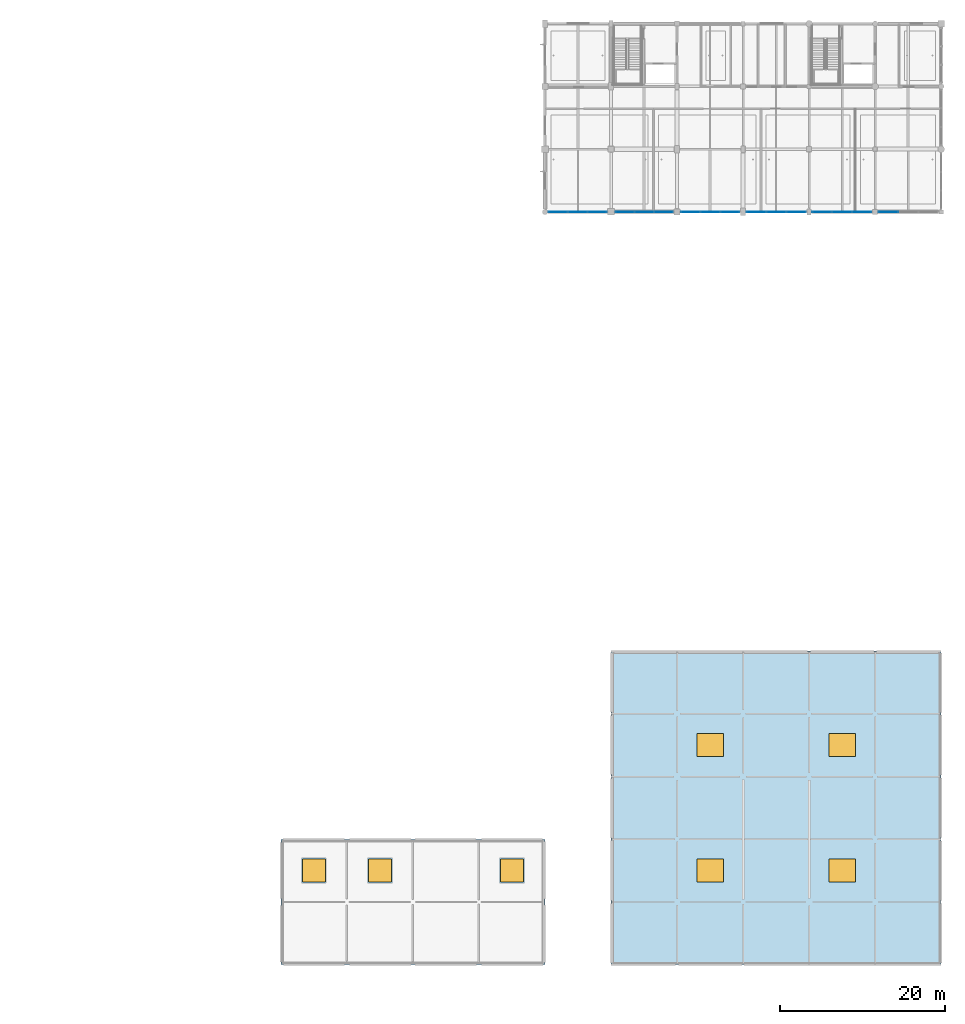
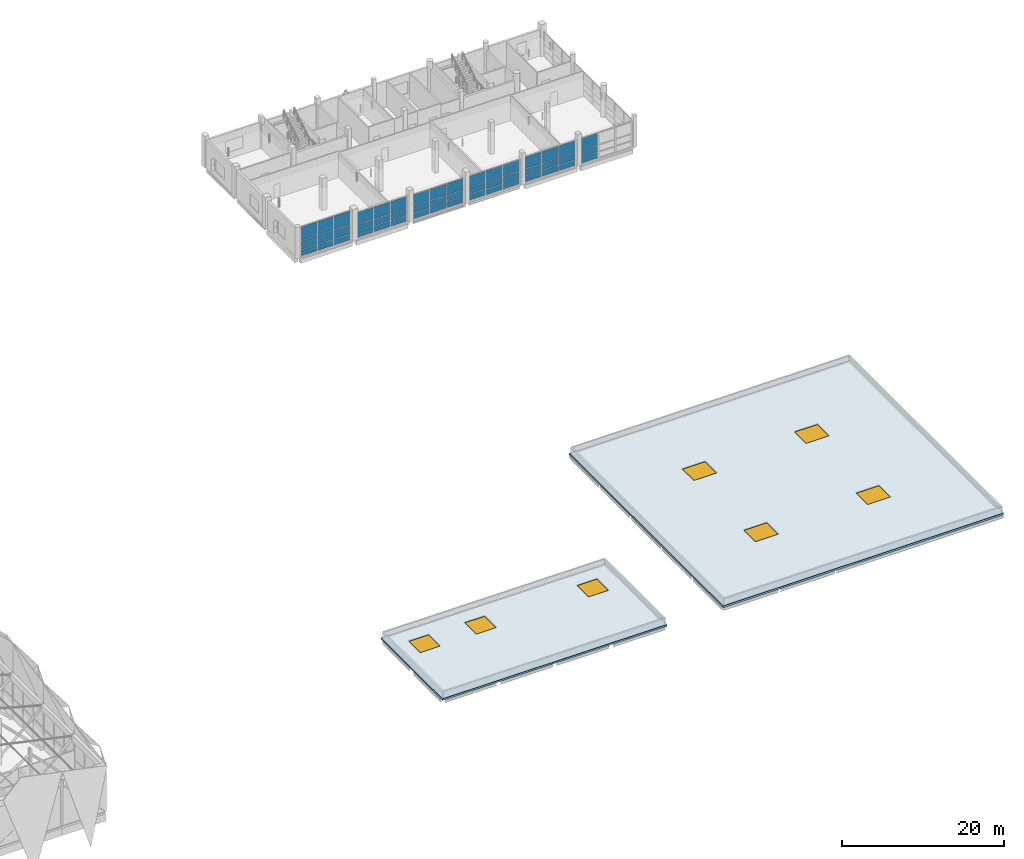
# One storey, part 25 of 46: 48 plates, 7 windows, 2 slabs, 7 openings, 6 elements without a shape of their own.
"""IFC4 building model written with IfcOpenShell, lengths in metres."""

from ifc_helpers import new_model, si_unit, direction, frame, origin, origin_2d, place, context, subcontext, project, spatial, polyline, rectangle, outline, extrude, material, layer, layer_set, type_object, element, fill, aggregate, save


model = new_model("IFC4")

# Units and contexts
model_context = context("Model", 3, precision=1e-05, world=origin(), true_north=direction((0.0, 1.0)))
body_context = subcontext(model_context, "Body", "Model", "MODEL_VIEW")
ifc_project = project(units=[si_unit("LENGTHUNIT", "METRE"), si_unit("AREAUNIT", "SQUARE_METRE"), si_unit("VOLUMEUNIT", "CUBIC_METRE"), si_unit("PLANEANGLEUNIT", "RADIAN"), si_unit("MASSUNIT", "GRAM", prefix="KILO")], contexts=[model_context])

# Site, building, storey
site_placement = place(None, origin())
site = spatial("IfcSite", under=ifc_project, at=site_placement, CompositionType="ELEMENT")
building_placement = place(site_placement, origin())
building = spatial("IfcBuilding", under=site, at=building_placement, Name="Khelvaren Railside Concert Hall", CompositionType="ELEMENT")
storey_placement = place(building_placement, frame((0.0, 0.0, 19.800048828125)))
storey = spatial("IfcBuildingStorey", under=building, at=storey_placement, Name="L04", CompositionType="ELEMENT", Elevation=19.800048828125)

# Curtain wall, plates
ifc_material_1 = material(Name="Triple-glazed solar-control glass", Category="glass")
curtain_wall_type_1 = type_object("IfcCurtainWallType", Name="CW14", PredefinedType="USERDEFINED", material=ifc_material_1)
curtain_wall_1_placement = place(storey_placement, origin())
curtain_wall_1 = element("IfcCurtainWall", 1, at=curtain_wall_1_placement, inside=storey, type_object=curtain_wall_type_1, Name="Unitised Curtain Wall CW-V5-L04-S-136", ObjectType="UNITISED CURTAIN WALL", PredefinedType="USERDEFINED")
ifc_layer_1 = layer(ifc_material_1, 0.035888671875)
ifc_layer_set_1 = layer_set([ifc_layer_1], Name="Triple-glazed solar-control glass")
plate_type = type_object("IfcPlateType", Name="CWP53", PredefinedType="CURTAIN_PANEL", material=ifc_layer_set_1)
plate_1_placement = place(storey_placement, frame((142.3203125, 91.199951171875, 0.074951171875), z_axis=(0.0, 0.0, 1.0), x_axis=(-1.0, 0.0, 0.0)))
plate_1 = element("IfcPlate", 2, at=plate_1_placement, type_object=plate_type, Name="CW14 panel 1.1", PredefinedType="CURTAIN_PANEL", context=body_context, shape_type="SweptSolid", body=[
    extrude(rectangle(XDim=2.26416015625, YDim=0.035888671875, at=origin_2d()), origin(), (0.0, 0.0, 1.0), 0.83740234375),
])
plate_2_placement = place(storey_placement, frame((142.3203125, 91.199951171875, 0.9873046875), z_axis=(0.0, 0.0, 1.0), x_axis=(-1.0, 0.0, 0.0)))
plate_2 = element("IfcPlate", 3, at=plate_2_placement, type_object=plate_type, Name="CW14 panel 1.2", PredefinedType="CURTAIN_PANEL", context=body_context, shape_type="SweptSolid", body=[
    extrude(rectangle(XDim=2.26416015625, YDim=0.035888671875, at=origin_2d()), origin(), (0.0, 0.0, 1.0), 1.335693359375),
])
plate_3_placement = place(storey_placement, frame((142.3203125, 91.199951171875, 2.3984375), z_axis=(0.0, 0.0, 1.0), x_axis=(-1.0, 0.0, 0.0)))
plate_3 = element("IfcPlate", 4, at=plate_3_placement, type_object=plate_type, Name="CW14 panel 1.3", PredefinedType="CURTAIN_PANEL", context=body_context, shape_type="SweptSolid", body=[
    extrude(rectangle(XDim=2.26416015625, YDim=0.035888671875, at=origin_2d()), origin(), (0.0, 0.0, 1.0), 2.066650390625),
])
plate_4_placement = place(storey_placement, frame((139.96240234375, 91.199951171875, 0.074951171875), z_axis=(0.0, 0.0, 1.0), x_axis=(-1.0, 0.0, 0.0)))
plate_4 = element("IfcPlate", 5, at=plate_4_placement, type_object=plate_type, Name="CW14 panel 2.1", PredefinedType="CURTAIN_PANEL", context=body_context, shape_type="SweptSolid", body=[
    extrude(rectangle(XDim=2.3017578125, YDim=0.035888671875, at=origin_2d()), origin(), (0.0, 0.0, 1.0), 0.83740234375),
])
plate_5_placement = place(storey_placement, frame((139.96240234375, 91.199951171875, 0.9873046875), z_axis=(0.0, 0.0, 1.0), x_axis=(-1.0, 0.0, 0.0)))
plate_5 = element("IfcPlate", 6, at=plate_5_placement, type_object=plate_type, Name="CW14 panel 2.2", PredefinedType="CURTAIN_PANEL", context=body_context, shape_type="SweptSolid", body=[
    extrude(rectangle(XDim=2.3017578125, YDim=0.035888671875, at=origin_2d()), origin(), (0.0, 0.0, 1.0), 1.335693359375),
])
plate_6_placement = place(storey_placement, frame((139.96240234375, 91.199951171875, 2.3984375), z_axis=(0.0, 0.0, 1.0), x_axis=(-1.0, 0.0, 0.0)))
plate_6 = element("IfcPlate", 7, at=plate_6_placement, type_object=plate_type, Name="CW14 panel 2.3", PredefinedType="CURTAIN_PANEL", context=body_context, shape_type="SweptSolid", body=[
    extrude(rectangle(XDim=2.3017578125, YDim=0.035888671875, at=origin_2d()), origin(), (0.0, 0.0, 1.0), 2.066650390625),
])
plate_7_placement = place(storey_placement, frame((137.6044921875, 91.199951171875, 0.074951171875), z_axis=(0.0, 0.0, 1.0), x_axis=(-1.0, 0.0, 0.0)))
plate_7 = element("IfcPlate", 8, at=plate_7_placement, type_object=plate_type, Name="CW14 panel 3.1", PredefinedType="CURTAIN_PANEL", context=body_context, shape_type="SweptSolid", body=[
    extrude(rectangle(XDim=2.26416015625, YDim=0.035888671875, at=origin_2d()), origin(), (0.0, 0.0, 1.0), 0.83740234375),
])
plate_8_placement = place(storey_placement, frame((137.6044921875, 91.199951171875, 0.9873046875), z_axis=(0.0, 0.0, 1.0), x_axis=(-1.0, 0.0, 0.0)))
plate_8 = element("IfcPlate", 9, at=plate_8_placement, type_object=plate_type, Name="CW14 panel 3.2", PredefinedType="CURTAIN_PANEL", context=body_context, shape_type="SweptSolid", body=[
    extrude(rectangle(XDim=2.26416015625, YDim=0.035888671875, at=origin_2d()), origin(), (0.0, 0.0, 1.0), 1.335693359375),
])
plate_9_placement = place(storey_placement, frame((137.6044921875, 91.199951171875, 2.3984375), z_axis=(0.0, 0.0, 1.0), x_axis=(-1.0, 0.0, 0.0)))
plate_9 = element("IfcPlate", 10, at=plate_9_placement, type_object=plate_type, Name="CW14 panel 3.3", PredefinedType="CURTAIN_PANEL", context=body_context, shape_type="SweptSolid", body=[
    extrude(rectangle(XDim=2.26416015625, YDim=0.035888671875, at=origin_2d()), origin(), (0.0, 0.0, 1.0), 2.066650390625),
])
aggregate(curtain_wall_1, [plate_1, plate_2, plate_3, plate_4, plate_5, plate_6, plate_7, plate_8, plate_9])

curtain_wall_type_2 = type_object("IfcCurtainWallType", Name="CW80", PredefinedType="USERDEFINED", material=ifc_material_1)
curtain_wall_2_placement = place(storey_placement, origin())
curtain_wall_2 = element("IfcCurtainWall", 11, at=curtain_wall_2_placement, inside=storey, type_object=curtain_wall_type_2, Name="Unitised Curtain Wall CW-V5-L04-S-144", ObjectType="UNITISED CURTAIN WALL", PredefinedType="USERDEFINED")
plate_10_placement = place(storey_placement, frame((150.37451171875, 91.199951171875, 0.074951171875), z_axis=(0.0, 0.0, 1.0), x_axis=(-1.0, 0.0, 0.0)))
plate_10 = element("IfcPlate", 12, at=plate_10_placement, type_object=plate_type, Name="CW80 panel 1.1", PredefinedType="CURTAIN_PANEL", context=body_context, shape_type="SweptSolid", body=[
    extrude(rectangle(XDim=2.255859375, YDim=0.035888671875, at=origin_2d()), origin(), (0.0, 0.0, 1.0), 0.83740234375),
])
plate_11_placement = place(storey_placement, frame((150.37451171875, 91.199951171875, 0.9873046875), z_axis=(0.0, 0.0, 1.0), x_axis=(-1.0, 0.0, 0.0)))
plate_11 = element("IfcPlate", 13, at=plate_11_placement, type_object=plate_type, Name="CW80 panel 1.2", PredefinedType="CURTAIN_PANEL", context=body_context, shape_type="SweptSolid", body=[
    extrude(rectangle(XDim=2.255859375, YDim=0.035888671875, at=origin_2d()), origin(), (0.0, 0.0, 1.0), 0.99267578125),
])
plate_12_placement = place(storey_placement, frame((150.37451171875, 91.199951171875, 2.054931640625), z_axis=(0.0, 0.0, 1.0), x_axis=(-1.0, 0.0, 0.0)))
plate_12 = element("IfcPlate", 14, at=plate_12_placement, type_object=plate_type, Name="CW80 panel 1.3", PredefinedType="CURTAIN_PANEL", context=body_context, shape_type="SweptSolid", body=[
    extrude(rectangle(XDim=2.255859375, YDim=0.035888671875, at=origin_2d()), origin(), (0.0, 0.0, 1.0), 1.75),
])
plate_13_placement = place(storey_placement, frame((148.02490234375, 91.199951171875, 0.074951171875), z_axis=(0.0, 0.0, 1.0), x_axis=(-1.0, 0.0, 0.0)))
plate_13 = element("IfcPlate", 15, at=plate_13_placement, type_object=plate_type, Name="CW80 panel 2.1", PredefinedType="CURTAIN_PANEL", context=body_context, shape_type="SweptSolid", body=[
    extrude(rectangle(XDim=2.293212890625, YDim=0.035888671875, at=origin_2d()), origin(), (0.0, 0.0, 1.0), 0.83740234375),
])
plate_14_placement = place(storey_placement, frame((148.02490234375, 91.199951171875, 0.9873046875), z_axis=(0.0, 0.0, 1.0), x_axis=(-1.0, 0.0, 0.0)))
plate_14 = element("IfcPlate", 16, at=plate_14_placement, type_object=plate_type, Name="CW80 panel 2.2", PredefinedType="CURTAIN_PANEL", context=body_context, shape_type="SweptSolid", body=[
    extrude(rectangle(XDim=2.293212890625, YDim=0.035888671875, at=origin_2d()), origin(), (0.0, 0.0, 1.0), 0.99267578125),
])
plate_15_placement = place(storey_placement, frame((148.02490234375, 91.199951171875, 2.054931640625), z_axis=(0.0, 0.0, 1.0), x_axis=(-1.0, 0.0, 0.0)))
plate_15 = element("IfcPlate", 17, at=plate_15_placement, type_object=plate_type, Name="CW80 panel 2.3", PredefinedType="CURTAIN_PANEL", context=body_context, shape_type="SweptSolid", body=[
    extrude(rectangle(XDim=2.293212890625, YDim=0.035888671875, at=origin_2d()), origin(), (0.0, 0.0, 1.0), 1.75),
])
plate_16_placement = place(storey_placement, frame((145.675537109375, 91.199951171875, 0.074951171875), z_axis=(0.0, 0.0, 1.0), x_axis=(-1.0, 0.0, 0.0)))
plate_16 = element("IfcPlate", 18, at=plate_16_placement, type_object=plate_type, Name="CW80 panel 3.1", PredefinedType="CURTAIN_PANEL", context=body_context, shape_type="SweptSolid", body=[
    extrude(rectangle(XDim=2.255859375, YDim=0.035888671875, at=origin_2d()), origin(), (0.0, 0.0, 1.0), 0.83740234375),
])
plate_17_placement = place(storey_placement, frame((145.675537109375, 91.199951171875, 0.9873046875), z_axis=(0.0, 0.0, 1.0), x_axis=(-1.0, 0.0, 0.0)))
plate_17 = element("IfcPlate", 19, at=plate_17_placement, type_object=plate_type, Name="CW80 panel 3.2", PredefinedType="CURTAIN_PANEL", context=body_context, shape_type="SweptSolid", body=[
    extrude(rectangle(XDim=2.255859375, YDim=0.035888671875, at=origin_2d()), origin(), (0.0, 0.0, 1.0), 0.99267578125),
])
plate_18_placement = place(storey_placement, frame((145.675537109375, 91.199951171875, 2.054931640625), z_axis=(0.0, 0.0, 1.0), x_axis=(-1.0, 0.0, 0.0)))
plate_18 = element("IfcPlate", 20, at=plate_18_placement, type_object=plate_type, Name="CW80 panel 3.3", PredefinedType="CURTAIN_PANEL", context=body_context, shape_type="SweptSolid", body=[
    extrude(rectangle(XDim=2.255859375, YDim=0.035888671875, at=origin_2d()), origin(), (0.0, 0.0, 1.0), 1.75),
])
aggregate(curtain_wall_2, [plate_10, plate_11, plate_12, plate_13, plate_14, plate_15, plate_16, plate_17, plate_18])

curtain_wall_type_3 = type_object("IfcCurtainWallType", Name="CW41", PredefinedType="USERDEFINED", material=ifc_material_1)
curtain_wall_3_placement = place(storey_placement, origin())
curtain_wall_3 = element("IfcCurtainWall", 21, at=curtain_wall_3_placement, inside=storey, type_object=curtain_wall_type_3, Name="Unitised Curtain Wall CW-V5-L04-S-152", ObjectType="UNITISED CURTAIN WALL", PredefinedType="USERDEFINED")
plate_19_placement = place(storey_placement, frame((158.407958984375, 91.199951171875, 0.074951171875), z_axis=(0.0, 0.0, 1.0), x_axis=(-1.0, 0.0, 0.0)))
plate_19 = element("IfcPlate", 22, at=plate_19_placement, type_object=plate_type, Name="CW41 panel 1.1", PredefinedType="CURTAIN_PANEL", context=body_context, shape_type="SweptSolid", body=[
    extrude(rectangle(XDim=2.2890625, YDim=0.035888671875, at=origin_2d()), origin(), (0.0, 0.0, 1.0), 0.83740234375),
])
plate_20_placement = place(storey_placement, frame((158.407958984375, 91.199951171875, 0.9873046875), z_axis=(0.0, 0.0, 1.0), x_axis=(-1.0, 0.0, 0.0)))
plate_20 = element("IfcPlate", 23, at=plate_20_placement, type_object=plate_type, Name="CW41 panel 1.2", PredefinedType="CURTAIN_PANEL", context=body_context, shape_type="SweptSolid", body=[
    extrude(rectangle(XDim=2.2890625, YDim=0.035888671875, at=origin_2d()), origin(), (0.0, 0.0, 1.0), 0.940673828125),
])
plate_21_placement = place(storey_placement, frame((158.407958984375, 91.199951171875, 2.0029296875), z_axis=(0.0, 0.0, 1.0), x_axis=(-1.0, 0.0, 0.0)))
plate_21 = element("IfcPlate", 24, at=plate_21_placement, type_object=plate_type, Name="CW41 panel 1.3", PredefinedType="CURTAIN_PANEL", context=body_context, shape_type="SweptSolid", body=[
    extrude(rectangle(XDim=2.2890625, YDim=0.035888671875, at=origin_2d()), origin(), (0.0, 0.0, 1.0), 1.701904296875),
])
plate_22_placement = place(storey_placement, frame((156.02490234375, 91.199951171875, 0.074951171875), z_axis=(0.0, 0.0, 1.0), x_axis=(-1.0, 0.0, 0.0)))
plate_22 = element("IfcPlate", 25, at=plate_22_placement, type_object=plate_type, Name="CW41 panel 2.1", PredefinedType="CURTAIN_PANEL", context=body_context, shape_type="SweptSolid", body=[
    extrude(rectangle(XDim=2.32666015625, YDim=0.035888671875, at=origin_2d()), origin(), (0.0, 0.0, 1.0), 0.83740234375),
])
plate_23_placement = place(storey_placement, frame((156.02490234375, 91.199951171875, 0.9873046875), z_axis=(0.0, 0.0, 1.0), x_axis=(-1.0, 0.0, 0.0)))
plate_23 = element("IfcPlate", 26, at=plate_23_placement, type_object=plate_type, Name="CW41 panel 2.2", PredefinedType="CURTAIN_PANEL", context=body_context, shape_type="SweptSolid", body=[
    extrude(rectangle(XDim=2.32666015625, YDim=0.035888671875, at=origin_2d()), origin(), (0.0, 0.0, 1.0), 0.940673828125),
])
plate_24_placement = place(storey_placement, frame((156.02490234375, 91.199951171875, 2.0029296875), z_axis=(0.0, 0.0, 1.0), x_axis=(-1.0, 0.0, 0.0)))
plate_24 = element("IfcPlate", 27, at=plate_24_placement, type_object=plate_type, Name="CW41 panel 2.3", PredefinedType="CURTAIN_PANEL", context=body_context, shape_type="SweptSolid", body=[
    extrude(rectangle(XDim=2.32666015625, YDim=0.035888671875, at=origin_2d()), origin(), (0.0, 0.0, 1.0), 1.701904296875),
])
plate_25_placement = place(storey_placement, frame((153.64208984375, 91.199951171875, 0.074951171875), z_axis=(0.0, 0.0, 1.0), x_axis=(-1.0, 0.0, 0.0)))
plate_25 = element("IfcPlate", 28, at=plate_25_placement, type_object=plate_type, Name="CW41 panel 3.1", PredefinedType="CURTAIN_PANEL", context=body_context, shape_type="SweptSolid", body=[
    extrude(rectangle(XDim=2.2890625, YDim=0.035888671875, at=origin_2d()), origin(), (0.0, 0.0, 1.0), 0.83740234375),
])
plate_26_placement = place(storey_placement, frame((153.64208984375, 91.199951171875, 0.9873046875), z_axis=(0.0, 0.0, 1.0), x_axis=(-1.0, 0.0, 0.0)))
plate_26 = element("IfcPlate", 29, at=plate_26_placement, type_object=plate_type, Name="CW41 panel 3.2", PredefinedType="CURTAIN_PANEL", context=body_context, shape_type="SweptSolid", body=[
    extrude(rectangle(XDim=2.2890625, YDim=0.035888671875, at=origin_2d()), origin(), (0.0, 0.0, 1.0), 0.940673828125),
])
plate_27_placement = place(storey_placement, frame((153.64208984375, 91.199951171875, 2.0029296875), z_axis=(0.0, 0.0, 1.0), x_axis=(-1.0, 0.0, 0.0)))
plate_27 = element("IfcPlate", 30, at=plate_27_placement, type_object=plate_type, Name="CW41 panel 3.3", PredefinedType="CURTAIN_PANEL", context=body_context, shape_type="SweptSolid", body=[
    extrude(rectangle(XDim=2.2890625, YDim=0.035888671875, at=origin_2d()), origin(), (0.0, 0.0, 1.0), 1.701904296875),
])
aggregate(curtain_wall_3, [plate_19, plate_20, plate_21, plate_22, plate_23, plate_24, plate_25, plate_26, plate_27])

curtain_wall_type_4 = type_object("IfcCurtainWallType", Name="CW88", PredefinedType="USERDEFINED", material=ifc_material_1)
curtain_wall_4_placement = place(storey_placement, origin())
curtain_wall_4 = element("IfcCurtainWall", 31, at=curtain_wall_4_placement, inside=storey, type_object=curtain_wall_type_4, Name="Unitised Curtain Wall CW-V5-L04-S-160", ObjectType="UNITISED CURTAIN WALL", PredefinedType="USERDEFINED")
plate_28_placement = place(storey_placement, frame((166.441162109375, 91.199951171875, 0.074951171875), z_axis=(0.0, 0.0, 1.0), x_axis=(-1.0, 0.0, 0.0)))
plate_28 = element("IfcPlate", 32, at=plate_28_placement, type_object=plate_type, Name="CW88 panel 1.1", PredefinedType="CURTAIN_PANEL", context=body_context, shape_type="SweptSolid", body=[
    extrude(rectangle(XDim=2.322509765625, YDim=0.035888671875, at=origin_2d()), origin(), (0.0, 0.0, 1.0), 0.83740234375),
])
plate_29_placement = place(storey_placement, frame((166.441162109375, 91.199951171875, 0.9873046875), z_axis=(0.0, 0.0, 1.0), x_axis=(-1.0, 0.0, 0.0)))
plate_29 = element("IfcPlate", 33, at=plate_29_placement, type_object=plate_type, Name="CW88 panel 1.2", PredefinedType="CURTAIN_PANEL", context=body_context, shape_type="SweptSolid", body=[
    extrude(rectangle(XDim=2.322509765625, YDim=0.035888671875, at=origin_2d()), origin(), (0.0, 0.0, 1.0), 0.940673828125),
])
plate_30_placement = place(storey_placement, frame((166.441162109375, 91.199951171875, 2.0029296875), z_axis=(0.0, 0.0, 1.0), x_axis=(-1.0, 0.0, 0.0)))
plate_30 = element("IfcPlate", 34, at=plate_30_placement, type_object=plate_type, Name="CW88 panel 1.3", PredefinedType="CURTAIN_PANEL", context=body_context, shape_type="SweptSolid", body=[
    extrude(rectangle(XDim=2.322509765625, YDim=0.035888671875, at=origin_2d()), origin(), (0.0, 0.0, 1.0), 1.701904296875),
])
plate_31_placement = place(storey_placement, frame((164.02490234375, 91.199951171875, 0.074951171875), z_axis=(0.0, 0.0, 1.0), x_axis=(-1.0, 0.0, 0.0)))
plate_31 = element("IfcPlate", 35, at=plate_31_placement, type_object=plate_type, Name="CW88 panel 2.1", PredefinedType="CURTAIN_PANEL", context=body_context, shape_type="SweptSolid", body=[
    extrude(rectangle(XDim=2.360107421875, YDim=0.035888671875, at=origin_2d()), origin(), (0.0, 0.0, 1.0), 0.83740234375),
])
plate_32_placement = place(storey_placement, frame((164.02490234375, 91.199951171875, 0.9873046875), z_axis=(0.0, 0.0, 1.0), x_axis=(-1.0, 0.0, 0.0)))
plate_32 = element("IfcPlate", 36, at=plate_32_placement, type_object=plate_type, Name="CW88 panel 2.2", PredefinedType="CURTAIN_PANEL", context=body_context, shape_type="SweptSolid", body=[
    extrude(rectangle(XDim=2.360107421875, YDim=0.035888671875, at=origin_2d()), origin(), (0.0, 0.0, 1.0), 0.940673828125),
])
plate_33_placement = place(storey_placement, frame((164.02490234375, 91.199951171875, 2.0029296875), z_axis=(0.0, 0.0, 1.0), x_axis=(-1.0, 0.0, 0.0)))
plate_33 = element("IfcPlate", 37, at=plate_33_placement, type_object=plate_type, Name="CW88 panel 2.3", PredefinedType="CURTAIN_PANEL", context=body_context, shape_type="SweptSolid", body=[
    extrude(rectangle(XDim=2.360107421875, YDim=0.035888671875, at=origin_2d()), origin(), (0.0, 0.0, 1.0), 1.701904296875),
])
plate_34_placement = place(storey_placement, frame((161.608642578125, 91.199951171875, 0.074951171875), z_axis=(0.0, 0.0, 1.0), x_axis=(-1.0, 0.0, 0.0)))
plate_34 = element("IfcPlate", 38, at=plate_34_placement, type_object=plate_type, Name="CW88 panel 3.1", PredefinedType="CURTAIN_PANEL", context=body_context, shape_type="SweptSolid", body=[
    extrude(rectangle(XDim=2.322509765625, YDim=0.035888671875, at=origin_2d()), origin(), (0.0, 0.0, 1.0), 0.83740234375),
])
plate_35_placement = place(storey_placement, frame((161.608642578125, 91.199951171875, 0.9873046875), z_axis=(0.0, 0.0, 1.0), x_axis=(-1.0, 0.0, 0.0)))
plate_35 = element("IfcPlate", 39, at=plate_35_placement, type_object=plate_type, Name="CW88 panel 3.2", PredefinedType="CURTAIN_PANEL", context=body_context, shape_type="SweptSolid", body=[
    extrude(rectangle(XDim=2.322509765625, YDim=0.035888671875, at=origin_2d()), origin(), (0.0, 0.0, 1.0), 0.940673828125),
])
plate_36_placement = place(storey_placement, frame((161.608642578125, 91.199951171875, 2.0029296875), z_axis=(0.0, 0.0, 1.0), x_axis=(-1.0, 0.0, 0.0)))
plate_36 = element("IfcPlate", 40, at=plate_36_placement, type_object=plate_type, Name="CW88 panel 3.3", PredefinedType="CURTAIN_PANEL", context=body_context, shape_type="SweptSolid", body=[
    extrude(rectangle(XDim=2.322509765625, YDim=0.035888671875, at=origin_2d()), origin(), (0.0, 0.0, 1.0), 1.701904296875),
])
aggregate(curtain_wall_4, [plate_28, plate_29, plate_30, plate_31, plate_32, plate_33, plate_34, plate_35, plate_36])

curtain_wall_5_placement = place(storey_placement, origin())
curtain_wall_5 = element("IfcCurtainWall", 41, at=curtain_wall_5_placement, inside=storey, type_object=curtain_wall_type_1, Name="Unitised Curtain Wall CW-V5-L04-S-168", ObjectType="UNITISED CURTAIN WALL", PredefinedType="USERDEFINED")
plate_37_placement = place(storey_placement, frame((174.391357421875, 91.199951171875, 0.074951171875), z_axis=(0.0, 0.0, 1.0), x_axis=(-1.0, 0.0, 0.0)))
plate_37 = element("IfcPlate", 42, at=plate_37_placement, type_object=plate_type, Name="CW14 panel 1.1", PredefinedType="CURTAIN_PANEL", context=body_context, shape_type="SweptSolid", body=[
    extrude(rectangle(XDim=2.322509765625, YDim=0.035888671875, at=origin_2d()), origin(), (0.0, 0.0, 1.0), 0.83740234375),
])
plate_38_placement = place(storey_placement, frame((174.391357421875, 91.199951171875, 0.9873046875), z_axis=(0.0, 0.0, 1.0), x_axis=(-1.0, 0.0, 0.0)))
plate_38 = element("IfcPlate", 43, at=plate_38_placement, type_object=plate_type, Name="CW14 panel 1.2", PredefinedType="CURTAIN_PANEL", context=body_context, shape_type="SweptSolid", body=[
    extrude(rectangle(XDim=2.322509765625, YDim=0.035888671875, at=origin_2d()), origin(), (0.0, 0.0, 1.0), 0.99267578125),
])
plate_39_placement = place(storey_placement, frame((174.391357421875, 91.199951171875, 2.054931640625), z_axis=(0.0, 0.0, 1.0), x_axis=(-1.0, 0.0, 0.0)))
plate_39 = element("IfcPlate", 44, at=plate_39_placement, type_object=plate_type, Name="CW14 panel 1.3", PredefinedType="CURTAIN_PANEL", context=body_context, shape_type="SweptSolid", body=[
    extrude(rectangle(XDim=2.322509765625, YDim=0.035888671875, at=origin_2d()), origin(), (0.0, 0.0, 1.0), 1.75),
])
plate_40_placement = place(storey_placement, frame((171.97509765625, 91.199951171875, 0.074951171875), z_axis=(0.0, 0.0, 1.0), x_axis=(-1.0, 0.0, 0.0)))
plate_40 = element("IfcPlate", 45, at=plate_40_placement, type_object=plate_type, Name="CW14 panel 2.1", PredefinedType="CURTAIN_PANEL", context=body_context, shape_type="SweptSolid", body=[
    extrude(rectangle(XDim=2.360107421875, YDim=0.035888671875, at=origin_2d()), origin(), (0.0, 0.0, 1.0), 0.83740234375),
])
plate_41_placement = place(storey_placement, frame((171.97509765625, 91.199951171875, 0.9873046875), z_axis=(0.0, 0.0, 1.0), x_axis=(-1.0, 0.0, 0.0)))
plate_41 = element("IfcPlate", 46, at=plate_41_placement, type_object=plate_type, Name="CW14 panel 2.2", PredefinedType="CURTAIN_PANEL", context=body_context, shape_type="SweptSolid", body=[
    extrude(rectangle(XDim=2.360107421875, YDim=0.035888671875, at=origin_2d()), origin(), (0.0, 0.0, 1.0), 0.99267578125),
])
plate_42_placement = place(storey_placement, frame((171.97509765625, 91.199951171875, 2.054931640625), z_axis=(0.0, 0.0, 1.0), x_axis=(-1.0, 0.0, 0.0)))
plate_42 = element("IfcPlate", 47, at=plate_42_placement, type_object=plate_type, Name="CW14 panel 2.3", PredefinedType="CURTAIN_PANEL", context=body_context, shape_type="SweptSolid", body=[
    extrude(rectangle(XDim=2.360107421875, YDim=0.035888671875, at=origin_2d()), origin(), (0.0, 0.0, 1.0), 1.75),
])
plate_43_placement = place(storey_placement, frame((169.558837890625, 91.199951171875, 0.074951171875), z_axis=(0.0, 0.0, 1.0), x_axis=(-1.0, 0.0, 0.0)))
plate_43 = element("IfcPlate", 48, at=plate_43_placement, type_object=plate_type, Name="CW14 panel 3.1", PredefinedType="CURTAIN_PANEL", context=body_context, shape_type="SweptSolid", body=[
    extrude(rectangle(XDim=2.322509765625, YDim=0.035888671875, at=origin_2d()), origin(), (0.0, 0.0, 1.0), 0.83740234375),
])
plate_44_placement = place(storey_placement, frame((169.558837890625, 91.199951171875, 0.9873046875), z_axis=(0.0, 0.0, 1.0), x_axis=(-1.0, 0.0, 0.0)))
plate_44 = element("IfcPlate", 49, at=plate_44_placement, type_object=plate_type, Name="CW14 panel 3.2", PredefinedType="CURTAIN_PANEL", context=body_context, shape_type="SweptSolid", body=[
    extrude(rectangle(XDim=2.322509765625, YDim=0.035888671875, at=origin_2d()), origin(), (0.0, 0.0, 1.0), 0.99267578125),
])
plate_45_placement = place(storey_placement, frame((169.558837890625, 91.199951171875, 2.054931640625), z_axis=(0.0, 0.0, 1.0), x_axis=(-1.0, 0.0, 0.0)))
plate_45 = element("IfcPlate", 50, at=plate_45_placement, type_object=plate_type, Name="CW14 panel 3.3", PredefinedType="CURTAIN_PANEL", context=body_context, shape_type="SweptSolid", body=[
    extrude(rectangle(XDim=2.322509765625, YDim=0.035888671875, at=origin_2d()), origin(), (0.0, 0.0, 1.0), 1.75),
])
aggregate(curtain_wall_5, [plate_37, plate_38, plate_39, plate_40, plate_41, plate_42, plate_43, plate_44, plate_45])

curtain_wall_6_placement = place(storey_placement, origin())
curtain_wall_6 = element("IfcCurtainWall", 51, at=curtain_wall_6_placement, inside=storey, type_object=curtain_wall_type_2, Name="Unitised Curtain Wall CW-V5-L04-S-176", ObjectType="UNITISED CURTAIN WALL", PredefinedType="USERDEFINED")
plate_46_placement = place(storey_placement, frame((177.608642578125, 91.199951171875, 0.074951171875), z_axis=(0.0, 0.0, 1.0), x_axis=(-1.0, 0.0, 0.0)))
plate_46 = element("IfcPlate", 52, at=plate_46_placement, type_object=plate_type, Name="CW80 panel 3.1", PredefinedType="CURTAIN_PANEL", context=body_context, shape_type="SweptSolid", body=[
    extrude(rectangle(XDim=2.322509765625, YDim=0.035888671875, at=origin_2d()), origin(), (0.0, 0.0, 1.0), 0.83740234375),
])
plate_47_placement = place(storey_placement, frame((177.608642578125, 91.199951171875, 0.9873046875), z_axis=(0.0, 0.0, 1.0), x_axis=(-1.0, 0.0, 0.0)))
plate_47 = element("IfcPlate", 53, at=plate_47_placement, type_object=plate_type, Name="CW80 panel 3.2", PredefinedType="CURTAIN_PANEL", context=body_context, shape_type="SweptSolid", body=[
    extrude(rectangle(XDim=2.322509765625, YDim=0.035888671875, at=origin_2d()), origin(), (0.0, 0.0, 1.0), 0.99267578125),
])
plate_48_placement = place(storey_placement, frame((177.608642578125, 91.199951171875, 2.054931640625), z_axis=(0.0, 0.0, 1.0), x_axis=(-1.0, 0.0, 0.0)))
plate_48 = element("IfcPlate", 54, at=plate_48_placement, type_object=plate_type, Name="CW80 panel 3.3", PredefinedType="CURTAIN_PANEL", context=body_context, shape_type="SweptSolid", body=[
    extrude(rectangle(XDim=2.322509765625, YDim=0.035888671875, at=origin_2d()), origin(), (0.0, 0.0, 1.0), 1.75),
])
aggregate(curtain_wall_6, [plate_46, plate_47, plate_48])

# Slab, openings, windows
ifc_material_2 = material(Name="Concrete C40/50", Category="concrete")
ifc_layer_2 = layer(ifc_material_2, 0.27001953125)
ifc_layer_set_2 = layer_set([ifc_layer_2], Name="Concrete C40/50")
slab_type_1 = type_object("IfcSlabType", Name="RS40", PredefinedType="ROOF", material=ifc_layer_set_2)
slab_1_placement = place(storey_placement, frame((0.0, 0.0, -0.27001953125)))
slab_1 = element("IfcSlab", 55, at=slab_1_placement, inside=storey, type_object=slab_type_1, Name="V2 L04 Flat Roof Slab", PredefinedType="ROOF", context=body_context, shape_type="SweptSolid", body=[
    extrude(outline(polyline([(144.0, 0.0), (184.0, 0.0), (184.0, 38.0), (144.0, 38.0), (144.0, 0.0)]), holes=[polyline([(154.39990234375, 10.0), (157.60009765625, 10.0), (157.60009765625, 12.800048828125), (154.39990234375, 12.800048828125), (154.39990234375, 10.0)]), polyline([(170.39990234375, 10.0), (173.60009765625, 10.0), (173.60009765625, 12.800048828125), (170.39990234375, 12.800048828125), (170.39990234375, 10.0)]), polyline([(154.39990234375, 25.199951171875), (157.60009765625, 25.199951171875), (157.60009765625, 28.0), (154.39990234375, 28.0), (154.39990234375, 25.199951171875)]), polyline([(170.39990234375, 25.199951171875), (173.60009765625, 25.199951171875), (173.60009765625, 28.0), (170.39990234375, 28.0), (170.39990234375, 25.199951171875)])]), origin(), (0.0, 0.0, 1.0), 0.27001953125),
])
opening_1_placement = place(slab_1_placement, frame((156.0, 11.39990234375, 0.0)))
opening_1 = element("IfcOpeningElement", 56, at=opening_1_placement, cuts=slab_1, Name="Opening SK76", PredefinedType="OPENING", context=body_context, shape_type="SweptSolid", body=[
    extrude(rectangle(XDim=3.199951171875, YDim=2.800048828125, at=origin_2d()), frame((0.0, 0.0, -0.010009765625)), (0.0, 0.0, 1.0), 0.2900390625),
])
opening_2_placement = place(slab_1_placement, frame((172.0, 11.39990234375, 0.0)))
opening_2 = element("IfcOpeningElement", 57, at=opening_2_placement, cuts=slab_1, Name="Opening SK76", PredefinedType="OPENING", context=body_context, shape_type="SweptSolid", body=[
    extrude(rectangle(XDim=3.199951171875, YDim=2.800048828125, at=origin_2d()), frame((0.0, 0.0, -0.010009765625)), (0.0, 0.0, 1.0), 0.2900390625),
])
opening_3_placement = place(slab_1_placement, frame((156.0, 26.60009765625, 0.0)))
opening_3 = element("IfcOpeningElement", 58, at=opening_3_placement, cuts=slab_1, Name="Opening SK76", PredefinedType="OPENING", context=body_context, shape_type="SweptSolid", body=[
    extrude(rectangle(XDim=3.199951171875, YDim=2.800048828125, at=origin_2d()), frame((0.0, 0.0, -0.010009765625)), (0.0, 0.0, 1.0), 0.2900390625),
])
opening_4_placement = place(slab_1_placement, frame((172.0, 26.60009765625, 0.0)))
opening_4 = element("IfcOpeningElement", 59, at=opening_4_placement, cuts=slab_1, Name="Opening SK76", PredefinedType="OPENING", context=body_context, shape_type="SweptSolid", body=[
    extrude(rectangle(XDim=3.199951171875, YDim=2.800048828125, at=origin_2d()), frame((0.0, 0.0, -0.010009765625)), (0.0, 0.0, 1.0), 0.2900390625),
])
ifc_material_3 = material(Name="Acoustic triple-glazed roof skylight", Category="glass")
window_type_1 = type_object("IfcWindowType", Name="SK76", PartitioningType="SINGLE_PANEL", PredefinedType="SKYLIGHT", material=ifc_material_3)
window_1_placement = place(opening_1_placement, frame((0.0, 0.0, 0.219970703125)))
window_1 = element("IfcWindow", 60, at=window_1_placement, inside=storey, type_object=window_type_1, Name="Acoustic Roof Skylight 01", OverallHeight=2.800048828125, OverallWidth=3.199951171875, PartitioningType="SINGLE_PANEL", PredefinedType="SKYLIGHT", context=body_context, shape_type="SweptSolid", body=[
    extrude(rectangle(XDim=3.199951171875, YDim=2.800048828125, at=origin_2d()), origin(), (0.0, 0.0, 1.0), 0.050048828125),
])
fill(opening_1, window_1)
window_2_placement = place(opening_2_placement, frame((0.0, 0.0, 0.219970703125)))
window_2 = element("IfcWindow", 61, at=window_2_placement, inside=storey, type_object=window_type_1, Name="Acoustic Roof Skylight 02", OverallHeight=2.800048828125, OverallWidth=3.199951171875, PartitioningType="SINGLE_PANEL", PredefinedType="SKYLIGHT", context=body_context, shape_type="SweptSolid", body=[
    extrude(rectangle(XDim=3.199951171875, YDim=2.800048828125, at=origin_2d()), origin(), (0.0, 0.0, 1.0), 0.050048828125),
])
fill(opening_2, window_2)
window_3_placement = place(opening_3_placement, frame((0.0, 0.0, 0.219970703125)))
window_3 = element("IfcWindow", 62, at=window_3_placement, inside=storey, type_object=window_type_1, Name="Acoustic Roof Skylight 03", OverallHeight=2.800048828125, OverallWidth=3.199951171875, PartitioningType="SINGLE_PANEL", PredefinedType="SKYLIGHT", context=body_context, shape_type="SweptSolid", body=[
    extrude(rectangle(XDim=3.199951171875, YDim=2.800048828125, at=origin_2d()), origin(), (0.0, 0.0, 1.0), 0.050048828125),
])
fill(opening_3, window_3)
window_4_placement = place(opening_4_placement, frame((0.0, 0.0, 0.219970703125)))
window_4 = element("IfcWindow", 63, at=window_4_placement, inside=storey, type_object=window_type_1, Name="Acoustic Roof Skylight 04", OverallHeight=2.800048828125, OverallWidth=3.199951171875, PartitioningType="SINGLE_PANEL", PredefinedType="SKYLIGHT", context=body_context, shape_type="SweptSolid", body=[
    extrude(rectangle(XDim=3.199951171875, YDim=2.800048828125, at=origin_2d()), origin(), (0.0, 0.0, 1.0), 0.050048828125),
])
fill(opening_4, window_4)

ifc_layer_3 = layer(ifc_material_2, 0.25)
ifc_layer_set_3 = layer_set([ifc_layer_3], Name="Concrete C40/50")
slab_type_2 = type_object("IfcSlabType", Name="RS83", PredefinedType="ROOF", material=ifc_layer_set_3)
slab_2_placement = place(storey_placement, frame((0.0, 0.0, -0.25)))
slab_2 = element("IfcSlab", 64, at=slab_2_placement, inside=storey, type_object=slab_type_2, Name="V3-E L04 Flat Roof Slab", PredefinedType="ROOF", context=body_context, shape_type="SweptSolid", body=[
    extrude(outline(polyline([(104.0, 0.0), (136.0, 0.0), (136.0, 15.199951171875), (104.0, 15.199951171875), (104.0, 0.0)]), holes=[polyline([(106.60009765625, 10.0), (109.39990234375, 10.0), (109.39990234375, 12.800048828125), (106.60009765625, 12.800048828125), (106.60009765625, 10.0)]), polyline([(114.60009765625, 10.0), (117.39990234375, 10.0), (117.39990234375, 12.800048828125), (114.60009765625, 12.800048828125), (114.60009765625, 10.0)]), polyline([(130.60009765625, 10.0), (133.39990234375, 10.0), (133.39990234375, 12.800048828125), (130.60009765625, 12.800048828125), (130.60009765625, 10.0)])]), origin(), (0.0, 0.0, 1.0), 0.25),
])
opening_5_placement = place(slab_2_placement, frame((108.0, 11.39990234375, 0.0)))
opening_5 = element("IfcOpeningElement", 65, at=opening_5_placement, cuts=slab_2, Name="Opening SK98", PredefinedType="OPENING", context=body_context, shape_type="SweptSolid", body=[
    extrude(rectangle(XDim=2.800048828125, YDim=2.800048828125, at=origin_2d()), frame((0.0, 0.0, -0.010009765625)), (0.0, 0.0, 1.0), 0.27001953125),
])
opening_6_placement = place(slab_2_placement, frame((116.0, 11.39990234375, 0.0)))
opening_6 = element("IfcOpeningElement", 66, at=opening_6_placement, cuts=slab_2, Name="Opening SK98", PredefinedType="OPENING", context=body_context, shape_type="SweptSolid", body=[
    extrude(rectangle(XDim=2.800048828125, YDim=2.800048828125, at=origin_2d()), frame((0.0, 0.0, -0.010009765625)), (0.0, 0.0, 1.0), 0.27001953125),
])
opening_7_placement = place(slab_2_placement, frame((132.0, 11.39990234375, 0.0)))
opening_7 = element("IfcOpeningElement", 67, at=opening_7_placement, cuts=slab_2, Name="Opening SK98", PredefinedType="OPENING", context=body_context, shape_type="SweptSolid", body=[
    extrude(rectangle(XDim=2.800048828125, YDim=2.800048828125, at=origin_2d()), frame((0.0, 0.0, -0.010009765625)), (0.0, 0.0, 1.0), 0.27001953125),
])
window_type_2 = type_object("IfcWindowType", Name="SK98", PartitioningType="SINGLE_PANEL", PredefinedType="SKYLIGHT", material=ifc_material_3)
window_5_placement = place(opening_5_placement, frame((0.0, 0.0, 0.199951171875)))
window_5 = element("IfcWindow", 68, at=window_5_placement, inside=storey, type_object=window_type_2, Name="Acoustic Roof Skylight 08", OverallHeight=2.800048828125, OverallWidth=2.800048828125, PartitioningType="SINGLE_PANEL", PredefinedType="SKYLIGHT", context=body_context, shape_type="SweptSolid", body=[
    extrude(rectangle(XDim=2.800048828125, YDim=2.800048828125, at=origin_2d()), origin(), (0.0, 0.0, 1.0), 0.050048828125),
])
fill(opening_5, window_5)
window_6_placement = place(opening_6_placement, frame((0.0, 0.0, 0.199951171875)))
window_6 = element("IfcWindow", 69, at=window_6_placement, inside=storey, type_object=window_type_2, Name="Acoustic Roof Skylight 09", OverallHeight=2.800048828125, OverallWidth=2.800048828125, PartitioningType="SINGLE_PANEL", PredefinedType="SKYLIGHT", context=body_context, shape_type="SweptSolid", body=[
    extrude(rectangle(XDim=2.800048828125, YDim=2.800048828125, at=origin_2d()), origin(), (0.0, 0.0, 1.0), 0.050048828125),
])
fill(opening_6, window_6)
window_7_placement = place(opening_7_placement, frame((0.0, 0.0, 0.199951171875)))
window_7 = element("IfcWindow", 70, at=window_7_placement, inside=storey, type_object=window_type_2, Name="Acoustic Roof Skylight 10", OverallHeight=2.800048828125, OverallWidth=2.800048828125, PartitioningType="SINGLE_PANEL", PredefinedType="SKYLIGHT", context=body_context, shape_type="SweptSolid", body=[
    extrude(rectangle(XDim=2.800048828125, YDim=2.800048828125, at=origin_2d()), origin(), (0.0, 0.0, 1.0), 0.050048828125),
])
fill(opening_7, window_7)

save(model, "model.ifc")
